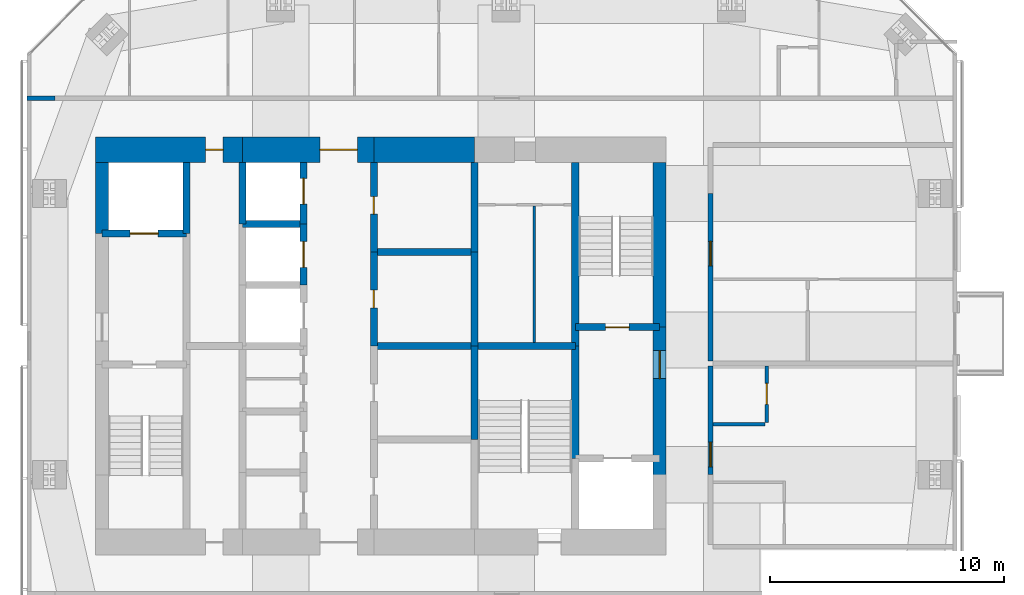
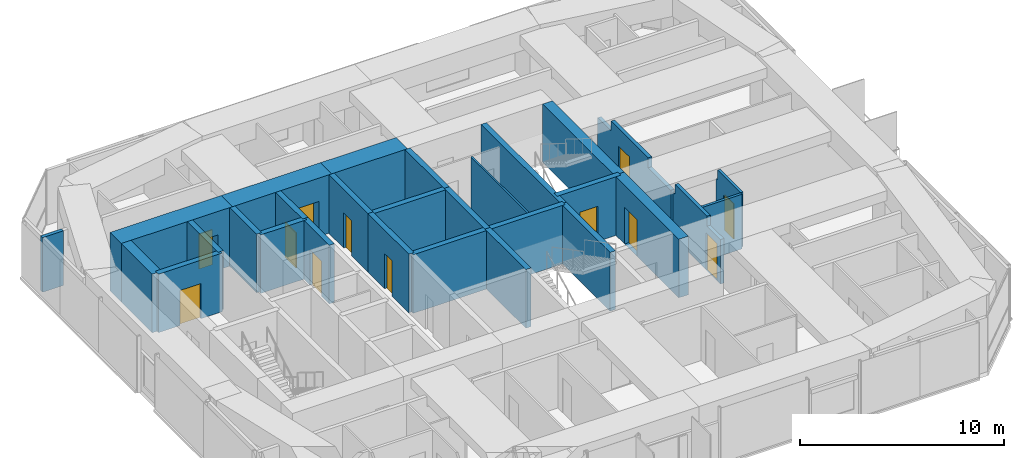
# One storey, part 15 of 18: 29 walls, 12 doors, 12 openings.
"""IFC4 building model written with IfcOpenShell, lengths in metres."""

from ifc_helpers import new_model, si_unit, direction, frame, frame_2d, origin, place, context, subcontext, project, spatial, polyline, rectangle, outline, extrude, material, layer, layer_set, constituent, constituent_set, type_object, element, fill, save


model = new_model("IFC4")

# Units and contexts
model_context = context("Model", 3, precision=1e-05, world=origin(), true_north=direction((0.0, 1.0)))
body_context = subcontext(model_context, "Body", "Model", "MODEL_VIEW")
ifc_project = project(units=[si_unit("LENGTHUNIT", "METRE"), si_unit("AREAUNIT", "SQUARE_METRE"), si_unit("VOLUMEUNIT", "CUBIC_METRE"), si_unit("PLANEANGLEUNIT", "RADIAN"), si_unit("MASSUNIT", "GRAM", prefix="KILO")], contexts=[model_context])

# Site, building, storey
site_placement = place(None, origin())
site = spatial("IfcSite", under=ifc_project, at=site_placement, CompositionType="ELEMENT")
building_placement = place(site_placement, origin())
building = spatial("IfcBuilding", under=site, at=building_placement, Name="Jalousie Tower", CompositionType="ELEMENT")
storey_placement = place(building_placement, frame((0.0, 0.0, 249.449951171875)))
storey = spatial("IfcBuildingStorey", under=building, at=storey_placement, Name="L68", CompositionType="ELEMENT", Elevation=249.449951171875)

# Wall, opening, door
ifc_material_1 = material(Name="Concrete block ASTM C90", Category="concrete")
ifc_constituent_1 = constituent(ifc_material_1, Name="Body")
ifc_material_2 = material(Name="Render")
ifc_constituent_2 = constituent(ifc_material_2, Name="Finish")
ifc_constituent_set_1 = constituent_set(constituents=[ifc_constituent_1, ifc_constituent_2])
wall_type_1 = type_object("IfcWallType", Name="BATHROOM WALL 150", PredefinedType="PLUMBINGWALL", material=ifc_constituent_set_1)
wall_1_placement = place(storey_placement, frame((48.375, 15.22509765625, 0.0), z_axis=(0.0, 0.0, 1.0), x_axis=(0.0, 1.0, 0.0)))
wall_1 = element("IfcWall", 1, at=wall_1_placement, inside=storey, type_object=wall_type_1, Name="Bathroom Wall 150 L68", PredefinedType="PLUMBINGWALL", context=body_context, shape_type="SweptSolid", body=[
    extrude(outline(polyline([(0.0, 0.0), (2.4248046875, 0.0), (2.425048828125, 3.260009765625), (2.425048828125, 2.66015625), (2.239990234375, 2.66015625), (2.239990234375, 3.260009765625), (0.0, 3.260009765625), (0.0, 0.0)])), frame((0.0, 0.074951171875, 0.0), z_axis=(0.0, -1.0, 0.0), x_axis=(1.0, 0.0, 0.0)), (0.0, 0.0, 1.0), 0.14990234375),
])
opening_1_placement = place(wall_1_placement, frame((0.77490234375, 0.0, 0.0)))
opening_1 = element("IfcOpeningElement", 2, at=opening_1_placement, cuts=wall_1, Name="Opening D3", PredefinedType="OPENING", context=body_context, shape_type="SweptSolid", body=[
    extrude(rectangle(XDim=0.89990234375, YDim=2.10009765625, at=frame_2d((0.449951171875, 1.050048828125))), frame((0.0, 0.0849609375, 0.0), z_axis=(0.0, -1.0, 0.0), x_axis=(1.0, 0.0, 0.0)), (0.0, 0.0, 1.0), 0.169921875),
])
ifc_material_3 = material(Name="Timber door", Category="wood")
door_type_1 = type_object("IfcDoorType", Name="BATHROOM DOOR 900", OperationType="SINGLE_SWING_LEFT", PredefinedType="DOOR", material=ifc_material_3)
door_1_placement = place(opening_1_placement, origin())
door_1 = element("IfcDoor", 3, at=door_1_placement, inside=storey, type_object=door_type_1, Name="Apartment 6803 bathroom door", OperationType="SINGLE_SWING_RIGHT", OverallHeight=2.10009765625, OverallWidth=0.89990234375, PredefinedType="DOOR", context=body_context, shape_type="SweptSolid", body=[
    extrude(rectangle(XDim=0.89990234375, YDim=2.10009765625, at=frame_2d((0.449951171875, 1.050048828125))), frame((0.0, 0.02490234375, 0.0), z_axis=(0.0, -1.0, 0.0), x_axis=(1.0, 0.0, 0.0)), (0.0, 0.0, 1.0), 0.050048828125),
])
fill(opening_1, door_1)

# Walls
wall_2_placement = place(storey_placement, frame((48.300048828125, 15.14990234375, 0.0), z_axis=(0.0, 0.0, 1.0), x_axis=(-1.0, 0.0, 0.0)))
element("IfcWall", 4, at=wall_2_placement, inside=storey, type_object=wall_type_1, Name="Bathroom Wall 150 L68", PredefinedType="PLUMBINGWALL", context=body_context, shape_type="SweptSolid", body=[
    extrude(rectangle(XDim=2.22509765625, YDim=0.14990234375, at=frame_2d((1.112548828125, 0.0))), origin(), (0.0, 0.0, 1.0), 3.260009765625),
])
ifc_material_4 = material(Name="Concrete f'c 120 MPa", Category="concrete")
ifc_layer_1 = layer(ifc_material_4, 1.10009765625)
ifc_layer_set_1 = layer_set([ifc_layer_1], Name="Concrete f'c 120 MPa")
wall_type_2 = type_object("IfcWallType", Name="CORE WALL 1100", PredefinedType="SHEAR", material=ifc_layer_set_1)
wall_3_placement = place(storey_placement, frame((35.89990234375, 26.875, 0.0), z_axis=(0.0, 0.0, 1.0), x_axis=(-1.0, 0.0, 0.0)))
element("IfcWall", 5, at=wall_3_placement, inside=storey, type_object=wall_type_2, Name="Core wall NB L68", PredefinedType="SHEAR", context=body_context, shape_type="SweptSolid", body=[
    extrude(rectangle(XDim=4.2998046875, YDim=1.10009765625, at=frame_2d((2.14990234375, 0.0))), origin(), (0.0, 0.0, 1.0), 3.5),
])

# Wall, opening, door
wall_4_placement = place(storey_placement, frame((31.60009765625, 26.875, 0.0), z_axis=(0.0, 0.0, 1.0), x_axis=(-1.0, 0.0, 0.0)))
wall_4 = element("IfcWall", 6, at=wall_4_placement, inside=storey, type_object=wall_type_2, Name="Core wall NC L68", PredefinedType="SHEAR", context=body_context, shape_type="SweptSolid", body=[
    extrude(rectangle(XDim=5.60009765625, YDim=1.10009765625, at=frame_2d((2.800048828125, 0.0))), origin(), (0.0, 0.0, 1.0), 3.5),
])
opening_2_placement = place(wall_4_placement, frame((0.699951171875, 0.0, 0.0)))
opening_2 = element("IfcOpeningElement", 7, at=opening_2_placement, cuts=wall_4, Name="Opening D15", PredefinedType="OPENING", context=body_context, shape_type="SweptSolid", body=[
    extrude(rectangle(XDim=1.60009765625, YDim=2.10009765625, at=frame_2d((0.800048828125, 1.050048828125))), frame((0.0, 0.56005859375, 0.0), z_axis=(0.0, -1.0, 0.0), x_axis=(1.0, 0.0, 0.0)), (0.0, 0.0, 1.0), 1.1201171875),
])
ifc_material_5 = material(Name="Steel fire door", Category="steel")
door_type_2 = type_object("IfcDoorType", Name="LIFT LOBBY DOOR 1600", OperationType="DOUBLE_DOOR_SINGLE_SWING", PredefinedType="DOOR", material=ifc_material_5)
door_2_placement = place(opening_2_placement, origin())
door_2 = element("IfcDoor", 8, at=door_2_placement, inside=storey, type_object=door_type_2, Name="Lift lobby north door", OperationType="DOUBLE_DOOR_SINGLE_SWING", OverallHeight=2.10009765625, OverallWidth=1.60009765625, PredefinedType="DOOR", context=body_context, shape_type="SweptSolid", body=[
    extrude(rectangle(XDim=1.60009765625, YDim=2.10009765625, at=frame_2d((0.800048828125, 1.050048828125))), frame((0.0, 0.02490234375, 0.0), z_axis=(0.0, -1.0, 0.0), x_axis=(1.0, 0.0, 0.0)), (0.0, 0.0, 1.0), 0.050048828125),
])
fill(opening_2, door_2)

wall_5_placement = place(storey_placement, frame((26.0, 26.875, 0.0), z_axis=(0.0, 0.0, 1.0), x_axis=(-1.0, 0.0, 0.0)))
wall_5 = element("IfcWall", 9, at=wall_5_placement, inside=storey, type_object=wall_type_2, Name="Core wall ND L68", PredefinedType="SHEAR", context=body_context, shape_type="SweptSolid", body=[
    extrude(rectangle(XDim=6.27490234375, YDim=1.10009765625, at=frame_2d((3.137451171875, 0.0))), origin(), (0.0, 0.0, 1.0), 3.5),
])
opening_3_placement = place(wall_5_placement, frame((0.824951171875, 0.0, 0.0)))
opening_3 = element("IfcOpeningElement", 10, at=opening_3_placement, cuts=wall_5, Name="Opening D16", PredefinedType="OPENING", context=body_context, shape_type="SweptSolid", body=[
    extrude(rectangle(XDim=0.75, YDim=2.10009765625, at=frame_2d((0.375, 1.050048828125))), frame((0.0, 0.56005859375, 0.0), z_axis=(0.0, -1.0, 0.0), x_axis=(1.0, 0.0, 0.0)), (0.0, 0.0, 1.0), 1.1201171875),
])
ifc_material_6 = material(Name="Steel fire door", Category="steel")
door_type_3 = type_object("IfcDoorType", Name="RISER DOOR 750", OperationType="SINGLE_SWING_LEFT", PredefinedType="DOOR", material=ifc_material_6)
door_3_placement = place(opening_3_placement, origin())
door_3 = element("IfcDoor", 11, at=door_3_placement, inside=storey, type_object=door_type_3, Name="North riser door", OperationType="SINGLE_SWING_RIGHT", OverallHeight=2.10009765625, OverallWidth=0.75, PredefinedType="DOOR", context=body_context, shape_type="SweptSolid", body=[
    extrude(rectangle(XDim=0.75, YDim=2.10009765625, at=frame_2d((0.375, 1.050048828125))), frame((0.0, 0.02490234375, 0.0), z_axis=(0.0, -1.0, 0.0), x_axis=(1.0, 0.0, 0.0)), (0.0, 0.0, 1.0), 0.050048828125),
])
fill(opening_3, door_3)

# Walls
ifc_material_7 = material(Name="Concrete f'c 120 MPa", Category="concrete")
ifc_layer_2 = layer(ifc_material_7, 0.300048828125)
ifc_layer_set_2 = layer_set([ifc_layer_2], Name="Concrete f'c 120 MPa")
wall_type_3 = type_object("IfcWallType", Name="CORE WALL 300", PredefinedType="SHEAR", material=ifc_layer_set_2)
wall_6_placement = place(storey_placement, frame((23.60009765625, 23.300048828125, 0.0), z_axis=(0.0, 0.0, 1.0), x_axis=(0.0, 1.0, 0.0)))
element("IfcWall", 12, at=wall_6_placement, inside=storey, type_object=wall_type_3, Name="Core wall X23.6C L68", PredefinedType="SHEAR", context=body_context, shape_type="SweptSolid", body=[
    extrude(rectangle(XDim=3.02490234375, YDim=0.300048828125, at=frame_2d((1.512451171875, 0.0))), origin(), (0.0, 0.0, 1.0), 3.5),
])
wall_7_placement = place(storey_placement, frame((26.0, 23.699951171875, 0.0), z_axis=(0.0, 0.0, 1.0), x_axis=(0.0, 1.0, 0.0)))
element("IfcWall", 13, at=wall_7_placement, inside=storey, type_object=wall_type_3, Name="Core wall X26F L68", PredefinedType="SHEAR", context=body_context, shape_type="SweptSolid", body=[
    extrude(rectangle(XDim=2.625, YDim=0.300048828125, at=frame_2d((1.3125, 0.0))), origin(), (0.0, 0.0, 1.0), 3.5),
])

# Wall, opening, door
wall_8_placement = place(storey_placement, frame((28.60009765625, 21.10009765625, 0.0), z_axis=(0.0, 0.0, 1.0), x_axis=(0.0, 1.0, 0.0)))
wall_8 = element("IfcWall", 14, at=wall_8_placement, inside=storey, type_object=wall_type_3, Name="Core wall X28.6E L68", PredefinedType="SHEAR", context=body_context, shape_type="SweptSolid", body=[
    extrude(rectangle(XDim=2.599853515625, YDim=0.300048828125, at=frame_2d((1.2998046875, 0.0))), origin(), (0.0, 0.0, 1.0), 3.5),
])
opening_4_placement = place(wall_8_placement, frame((0.75, 0.0, 0.0)))
opening_4 = element("IfcOpeningElement", 15, at=opening_4_placement, cuts=wall_8, Name="Opening LD1", PredefinedType="OPENING", context=body_context, shape_type="SweptSolid", body=[
    extrude(rectangle(XDim=1.10009765625, YDim=2.10009765625, at=frame_2d((0.550048828125, 1.050048828125))), frame((0.0, 0.159912109375, 0.0), z_axis=(0.0, -1.0, 0.0), x_axis=(1.0, 0.0, 0.0)), (0.0, 0.0, 1.0), 0.320068359375),
])
ifc_material_8 = material(Name="Steel lift landing door", Category="steel")
door_type_4 = type_object("IfcDoorType", Name="LIFT LANDING DOOR 1100", OperationType="SLIDING_TO_LEFT", PredefinedType="DOOR", material=ifc_material_8)
door_4_placement = place(opening_4_placement, origin())
door_4 = element("IfcDoor", 16, at=door_4_placement, inside=storey, type_object=door_type_4, Name="Lift P5 landing door", OperationType="SLIDING_TO_LEFT", OverallHeight=2.10009765625, OverallWidth=1.10009765625, PredefinedType="DOOR", context=body_context, shape_type="SweptSolid", body=[
    extrude(rectangle(XDim=1.10009765625, YDim=2.10009765625, at=frame_2d((0.550048828125, 1.050048828125))), frame((0.0, 0.02490234375, 0.0), z_axis=(0.0, -1.0, 0.0), x_axis=(1.0, 0.0, 0.0)), (0.0, 0.0, 1.0), 0.050048828125),
])
fill(opening_4, door_4)

wall_9_placement = place(storey_placement, frame((28.60009765625, 23.699951171875, 0.0), z_axis=(0.0, 0.0, 1.0), x_axis=(0.0, 1.0, 0.0)))
wall_9 = element("IfcWall", 17, at=wall_9_placement, inside=storey, type_object=wall_type_3, Name="Core wall X28.6F L68", PredefinedType="SHEAR", context=body_context, shape_type="SweptSolid", body=[
    extrude(rectangle(XDim=2.625, YDim=0.300048828125, at=frame_2d((1.3125, 0.0))), origin(), (0.0, 0.0, 1.0), 3.5),
])
opening_5_placement = place(wall_9_placement, frame((0.85009765625, 0.0, 0.0)))
opening_5 = element("IfcOpeningElement", 18, at=opening_5_placement, cuts=wall_9, Name="Opening LD1", PredefinedType="OPENING", context=body_context, shape_type="SweptSolid", body=[
    extrude(rectangle(XDim=1.10009765625, YDim=2.10009765625, at=frame_2d((0.550048828125, 1.050048828125))), frame((0.0, 0.159912109375, 0.0), z_axis=(0.0, -1.0, 0.0), x_axis=(1.0, 0.0, 0.0)), (0.0, 0.0, 1.0), 0.320068359375),
])
door_5_placement = place(opening_5_placement, origin())
door_5 = element("IfcDoor", 19, at=door_5_placement, inside=storey, type_object=door_type_4, Name="Lift P6 landing door", OperationType="SLIDING_TO_LEFT", OverallHeight=2.10009765625, OverallWidth=1.10009765625, PredefinedType="DOOR", context=body_context, shape_type="SweptSolid", body=[
    extrude(rectangle(XDim=1.10009765625, YDim=2.10009765625, at=frame_2d((0.550048828125, 1.050048828125))), frame((0.0, 0.02490234375, 0.0), z_axis=(0.0, -1.0, 0.0), x_axis=(1.0, 0.0, 0.0)), (0.0, 0.0, 1.0), 0.050048828125),
])
fill(opening_5, door_5)

wall_10_placement = place(storey_placement, frame((31.60009765625, 18.5, 0.0), z_axis=(0.0, 0.0, 1.0), x_axis=(0.0, 1.0, 0.0)))
wall_10 = element("IfcWall", 20, at=wall_10_placement, inside=storey, type_object=wall_type_3, Name="Core wall X31.6C L68", PredefinedType="SHEAR", context=body_context, shape_type="SweptSolid", body=[
    extrude(rectangle(XDim=4.0, YDim=0.300048828125, at=frame_2d((2.0, 0.0))), origin(), (0.0, 0.0, 1.0), 3.5),
])
opening_6_placement = place(wall_10_placement, frame((1.625, 0.0, 0.0)))
opening_6 = element("IfcOpeningElement", 21, at=opening_6_placement, cuts=wall_10, Name="Opening D16", PredefinedType="OPENING", context=body_context, shape_type="SweptSolid", body=[
    extrude(rectangle(XDim=0.75, YDim=2.10009765625, at=frame_2d((0.375, 1.050048828125))), frame((0.0, 0.159912109375, 0.0), z_axis=(0.0, -1.0, 0.0), x_axis=(1.0, 0.0, 0.0)), (0.0, 0.0, 1.0), 0.320068359375),
])
door_6_placement = place(opening_6_placement, frame((0.75, 0.0, 0.0), z_axis=(0.0, 0.0, 1.0), x_axis=(-1.0, 0.0, 0.0)))
door_6 = element("IfcDoor", 22, at=door_6_placement, inside=storey, type_object=door_type_3, Name="Telecom Room door", OperationType="SINGLE_SWING_RIGHT", OverallHeight=2.10009765625, OverallWidth=0.75, PredefinedType="DOOR", context=body_context, shape_type="SweptSolid", body=[
    extrude(rectangle(XDim=0.75, YDim=2.10009765625, at=frame_2d((0.375, 1.050048828125))), frame((0.0, 0.02490234375, 0.0), z_axis=(0.0, -1.0, 0.0), x_axis=(1.0, 0.0, 0.0)), (0.0, 0.0, 1.0), 0.050048828125),
])
fill(opening_6, door_6)

wall_11_placement = place(storey_placement, frame((31.60009765625, 22.5, 0.0), z_axis=(0.0, 0.0, 1.0), x_axis=(0.0, 1.0, 0.0)))
wall_11 = element("IfcWall", 23, at=wall_11_placement, inside=storey, type_object=wall_type_3, Name="Core wall X31.6D L68", PredefinedType="SHEAR", context=body_context, shape_type="SweptSolid", body=[
    extrude(rectangle(XDim=3.824951171875, YDim=0.300048828125, at=frame_2d((1.91259765625, 0.0))), origin(), (0.0, 0.0, 1.0), 3.5),
])
opening_7_placement = place(wall_11_placement, frame((1.625, 0.0, 0.0)))
opening_7 = element("IfcOpeningElement", 24, at=opening_7_placement, cuts=wall_11, Name="Opening D16", PredefinedType="OPENING", context=body_context, shape_type="SweptSolid", body=[
    extrude(rectangle(XDim=0.75, YDim=2.10009765625, at=frame_2d((0.375, 1.050048828125))), frame((0.0, 0.159912109375, 0.0), z_axis=(0.0, -1.0, 0.0), x_axis=(1.0, 0.0, 0.0)), (0.0, 0.0, 1.0), 0.320068359375),
])
door_7_placement = place(opening_7_placement, frame((0.75, 0.0, 0.0), z_axis=(0.0, 0.0, 1.0), x_axis=(-1.0, 0.0, 0.0)))
door_7 = element("IfcDoor", 25, at=door_7_placement, inside=storey, type_object=door_type_3, Name="Water Services Room door", OperationType="SINGLE_SWING_LEFT", OverallHeight=2.10009765625, OverallWidth=0.75, PredefinedType="DOOR", context=body_context, shape_type="SweptSolid", body=[
    extrude(rectangle(XDim=0.75, YDim=2.10009765625, at=frame_2d((0.375, 1.050048828125))), frame((0.0, 0.02490234375, 0.0), z_axis=(0.0, -1.0, 0.0), x_axis=(1.0, 0.0, 0.0)), (0.0, 0.0, 1.0), 0.050048828125),
])
fill(opening_7, door_7)

# Walls
for number, where, z_axis, x_axis, name in (
    (26, (35.89990234375, 14.5, 0.0), (0.0, 0.0, 1.0), (0.0, 1.0, 0.0), "Core wall X35.9B L68"),
    (27, (35.89990234375, 18.5, 0.0), (0.0, 0.0, 1.0), (0.0, 1.0, 0.0), "Core wall X35.9C L68"),
):
    element("IfcWall", number, at=place(storey_placement, frame(where, z_axis=z_axis, x_axis=x_axis)), inside=storey, type_object=wall_type_3, Name=name, PredefinedType="SHEAR", context=body_context, shape_type="SweptSolid", body=[
        extrude(rectangle(XDim=4.0, YDim=0.300048828125, at=frame_2d((2.0, 0.0))), origin(), (0.0, 0.0, 1.0), 3.5),
    ])
wall_12_placement = place(storey_placement, frame((35.89990234375, 22.5, 0.0), z_axis=(0.0, 0.0, 1.0), x_axis=(0.0, 1.0, 0.0)))
element("IfcWall", 28, at=wall_12_placement, inside=storey, type_object=wall_type_3, Name="Core wall X35.9D L68", PredefinedType="SHEAR", context=body_context, shape_type="SweptSolid", body=[
    extrude(rectangle(XDim=3.824951171875, YDim=0.300048828125, at=frame_2d((1.91259765625, 0.0))), origin(), (0.0, 0.0, 1.0), 3.5),
])
wall_13_placement = place(storey_placement, frame((40.199951171875, 13.699951171875, 0.0), z_axis=(0.0, 0.0, 1.0), x_axis=(0.0, 1.0, 0.0)))
element("IfcWall", 29, at=wall_13_placement, inside=storey, type_object=wall_type_3, Name="Core wall X40.2B L68", PredefinedType="SHEAR", context=body_context, shape_type="SweptSolid", body=[
    extrude(rectangle(XDim=4.800048828125, YDim=0.300048828125, at=frame_2d((2.39990234375, 0.0))), origin(), (0.0, 0.0, 1.0), 3.5),
])
wall_14_placement = place(storey_placement, frame((40.199951171875, 18.5, 0.0), z_axis=(0.0, 0.0, 1.0), x_axis=(0.0, 1.0, 0.0)))
element("IfcWall", 30, at=wall_14_placement, inside=storey, type_object=wall_type_3, Name="Core wall X40.2C L68", PredefinedType="SHEAR", context=body_context, shape_type="SweptSolid", body=[
    extrude(rectangle(XDim=7.824951171875, YDim=0.300048828125, at=frame_2d((3.91259765625, 0.0))), origin(), (0.0, 0.0, 1.0), 3.5),
])

# Wall, opening, door
wall_15_placement = place(storey_placement, frame((20.0, 23.300048828125, 0.0), z_axis=(0.0, 0.0, 1.0), x_axis=(1.0, 0.0, 0.0)))
wall_15 = element("IfcWall", 31, at=wall_15_placement, inside=storey, type_object=wall_type_3, Name="Core wall Y20-23.3 L68", PredefinedType="SHEAR", context=body_context, shape_type="SweptSolid", body=[
    extrude(rectangle(XDim=3.60009765625, YDim=0.300048828125, at=frame_2d((1.800048828125, 0.0))), origin(), (0.0, 0.0, 1.0), 3.5),
])
opening_8_placement = place(wall_15_placement, frame((1.199951171875, 0.0, 0.0)))
opening_8 = element("IfcOpeningElement", 32, at=opening_8_placement, cuts=wall_15, Name="Opening LD2", PredefinedType="OPENING", context=body_context, shape_type="SweptSolid", body=[
    extrude(rectangle(XDim=1.199951171875, YDim=2.10009765625, at=frame_2d((0.60009765625, 1.050048828125))), frame((0.0, 0.159912109375, 0.0), z_axis=(0.0, -1.0, 0.0), x_axis=(1.0, 0.0, 0.0)), (0.0, 0.0, 1.0), 0.320068359375),
])
ifc_material_9 = material(Name="Steel lift landing door", Category="steel")
door_type_5 = type_object("IfcDoorType", Name="LIFT LANDING DOOR 1200", OperationType="SLIDING_TO_LEFT", PredefinedType="DOOR", material=ifc_material_9)
door_8_placement = place(opening_8_placement, origin())
door_8 = element("IfcDoor", 33, at=door_8_placement, inside=storey, type_object=door_type_5, Name="Lift F1 landing door", OperationType="SLIDING_TO_LEFT", OverallHeight=2.10009765625, OverallWidth=1.199951171875, PredefinedType="DOOR", context=body_context, shape_type="SweptSolid", body=[
    extrude(rectangle(XDim=1.199951171875, YDim=2.10009765625, at=frame_2d((0.60009765625, 1.050048828125))), frame((0.0, 0.02490234375, 0.0), z_axis=(0.0, -1.0, 0.0), x_axis=(1.0, 0.0, 0.0)), (0.0, 0.0, 1.0), 0.050048828125),
])
fill(opening_8, door_8)

# Walls
wall_16_placement = place(storey_placement, frame((26.0, 23.699951171875, 0.0), z_axis=(0.0, 0.0, 1.0), x_axis=(1.0, 0.0, 0.0)))
element("IfcWall", 34, at=wall_16_placement, inside=storey, type_object=wall_type_3, Name="Core wall Y26-23.7 L68", PredefinedType="SHEAR", context=body_context, shape_type="SweptSolid", body=[
    extrude(rectangle(XDim=2.60009765625, YDim=0.300048828125, at=frame_2d((1.300048828125, 0.0))), origin(), (0.0, 0.0, 1.0), 3.5),
])
for number, where, z_axis, x_axis, name in (
    (35, (31.60009765625, 18.5, 0.0), (0.0, 0.0, 1.0), (1.0, 0.0, 0.0), "Core wall Y31.6-18.5 L68"),
    (36, (31.60009765625, 22.5, 0.0), (0.0, 0.0, 1.0), (1.0, 0.0, 0.0), "Core wall Y31.6-22.5 L68"),
):
    element("IfcWall", number, at=place(storey_placement, frame(where, z_axis=z_axis, x_axis=x_axis)), inside=storey, type_object=wall_type_3, Name=name, PredefinedType="SHEAR", context=body_context, shape_type="SweptSolid", body=[
        extrude(rectangle(XDim=4.2998046875, YDim=0.300048828125, at=frame_2d((2.14990234375, 0.0))), origin(), (0.0, 0.0, 1.0), 3.5),
    ])
wall_17_placement = place(storey_placement, frame((35.89990234375, 18.5, 0.0), z_axis=(0.0, 0.0, 1.0), x_axis=(1.0, 0.0, 0.0)))
element("IfcWall", 37, at=wall_17_placement, inside=storey, type_object=wall_type_3, Name="Core wall Y35.9-18.5 L68", PredefinedType="SHEAR", context=body_context, shape_type="SweptSolid", body=[
    extrude(rectangle(XDim=4.300048828125, YDim=0.300048828125, at=frame_2d((2.14990234375, 0.0))), origin(), (0.0, 0.0, 1.0), 3.5),
])

# Wall, opening, door
wall_18_placement = place(storey_placement, frame((40.199951171875, 19.300048828125, 0.0), z_axis=(0.0, 0.0, 1.0), x_axis=(1.0, 0.0, 0.0)))
wall_18 = element("IfcWall", 38, at=wall_18_placement, inside=storey, type_object=wall_type_3, Name="Core wall Y40.2-19.3 L68", PredefinedType="SHEAR", context=body_context, shape_type="SweptSolid", body=[
    extrude(rectangle(XDim=3.60009765625, YDim=0.300048828125, at=frame_2d((1.800048828125, 0.0))), origin(), (0.0, 0.0, 1.0), 3.5),
])
opening_9_placement = place(wall_18_placement, frame((1.300048828125, 0.0, 0.0)))
opening_9 = element("IfcOpeningElement", 39, at=opening_9_placement, cuts=wall_18, Name="Opening D10", PredefinedType="OPENING", context=body_context, shape_type="SweptSolid", body=[
    extrude(rectangle(XDim=1.0, YDim=2.10009765625, at=frame_2d((0.5, 1.050048828125))), frame((0.0, 0.159912109375, 0.0), z_axis=(0.0, -1.0, 0.0), x_axis=(1.0, 0.0, 0.0)), (0.0, 0.0, 1.0), 0.320068359375),
])
ifc_material_10 = material(Name="Steel fire door", Category="steel")
door_type_6 = type_object("IfcDoorType", Name="STAIR DOOR 1000", OperationType="SINGLE_SWING_LEFT", PredefinedType="DOOR", material=ifc_material_10)
door_9_placement = place(opening_9_placement, origin())
door_9 = element("IfcDoor", 40, at=door_9_placement, inside=storey, type_object=door_type_6, Name="Exit stair B door", OperationType="SINGLE_SWING_RIGHT", OverallHeight=2.10009765625, OverallWidth=1.0, PredefinedType="DOOR", context=body_context, shape_type="SweptSolid", body=[
    extrude(rectangle(XDim=1.0, YDim=2.10009765625, at=frame_2d((0.5, 1.050048828125))), frame((0.0, 0.02490234375, 0.0), z_axis=(0.0, -1.0, 0.0), x_axis=(1.0, 0.0, 0.0)), (0.0, 0.0, 1.0), 0.050048828125),
])
fill(opening_9, door_9)

# Wall
ifc_material_11 = material(Name="Concrete f'c 120 MPa", Category="concrete")
ifc_layer_3 = layer(ifc_material_11, 0.550048828125)
ifc_layer_set_3 = layer_set([ifc_layer_3], Name="Concrete f'c 120 MPa")
wall_type_4 = type_object("IfcWallType", Name="CORE WALL 550", PredefinedType="SHEAR", material=ifc_layer_set_3)
wall_19_placement = place(storey_placement, frame((20.0, 26.324951171875, 0.0), z_axis=(0.0, 0.0, 1.0), x_axis=(0.0, -1.0, 0.0)))
element("IfcWall", 41, at=wall_19_placement, inside=storey, type_object=wall_type_4, Name="Core wall WA L68", PredefinedType="SHEAR", context=body_context, shape_type="SweptSolid", body=[
    extrude(rectangle(XDim=3.02490234375, YDim=0.550048828125, at=frame_2d((1.512451171875, 0.0))), origin(), (0.0, 0.0, 1.0), 3.5),
])

# Wall, opening, door
wall_20_placement = place(storey_placement, frame((43.800048828125, 13.0, 0.0), z_axis=(0.0, 0.0, 1.0), x_axis=(0.0, 1.0, 0.0)))
wall_20 = element("IfcWall", 42, at=wall_20_placement, inside=storey, type_object=wall_type_4, Name="Core wall EB L68", PredefinedType="SHEAR", context=body_context, shape_type="SweptSolid", body=[
    extrude(rectangle(XDim=6.300048828125, YDim=0.550048828125, at=frame_2d((3.14990234375, 0.0))), origin(), (0.0, 0.0, 1.0), 3.5),
])
opening_10_placement = place(wall_20_placement, frame((4.10009765625, 0.0, 0.0)))
opening_10 = element("IfcOpeningElement", 43, at=opening_10_placement, cuts=wall_20, Name="Opening D11", PredefinedType="OPENING", context=body_context, shape_type="SweptSolid", body=[
    extrude(rectangle(XDim=1.199951171875, YDim=2.199951171875, at=frame_2d((0.60009765625, 1.10009765625))), frame((0.0, 0.284912109375, 0.0), z_axis=(0.0, -1.0, 0.0), x_axis=(1.0, 0.0, 0.0)), (0.0, 0.0, 1.0), 0.570068359375),
])
ifc_material_12 = material(Name="Steel fire door", Category="steel")
door_type_7 = type_object("IfcDoorType", Name="FIRE DOOR 1200", OperationType="SINGLE_SWING_LEFT", PredefinedType="DOOR", material=ifc_material_12)
door_10_placement = place(opening_10_placement, origin())
door_10 = element("IfcDoor", 44, at=door_10_placement, inside=storey, type_object=door_type_7, Name="Fire-fighting lobby B door", OperationType="SINGLE_SWING_RIGHT", OverallHeight=2.199951171875, OverallWidth=1.199951171875, PredefinedType="DOOR", context=body_context, shape_type="SweptSolid", body=[
    extrude(rectangle(XDim=1.199951171875, YDim=2.199951171875, at=frame_2d((0.60009765625, 1.10009765625))), frame((0.0, 0.02490234375, 0.0), z_axis=(0.0, -1.0, 0.0), x_axis=(1.0, 0.0, 0.0)), (0.0, 0.0, 1.0), 0.050048828125),
])
fill(opening_10, door_10)

# Wall
wall_21_placement = place(storey_placement, frame((43.800048828125, 19.300048828125, 0.0), z_axis=(0.0, 0.0, 1.0), x_axis=(0.0, 1.0, 0.0)))
element("IfcWall", 45, at=wall_21_placement, inside=storey, type_object=wall_type_4, Name="Core wall EC L68", PredefinedType="SHEAR", context=body_context, shape_type="SweptSolid", body=[
    extrude(rectangle(XDim=7.02490234375, YDim=0.550048828125, at=frame_2d((3.512451171875, 0.0))), origin(), (0.0, 0.0, 1.0), 3.5),
])

# Wall, opening, door
ifc_material_13 = material(Name="Concrete block ASTM C90", Category="concrete")
ifc_constituent_3 = constituent(ifc_material_13, Name="Body")
ifc_material_14 = material(Name="Render")
ifc_constituent_4 = constituent(ifc_material_14, Name="Finish")
ifc_constituent_set_2 = constituent_set(constituents=[ifc_constituent_3, ifc_constituent_4])
wall_type_5 = type_object("IfcWallType", Name="CORRIDOR WALL 200", PredefinedType="PARTITIONING", material=ifc_constituent_set_2)
wall_22_placement = place(storey_placement, frame((45.97509765625, 13.0, 0.0), z_axis=(0.0, 0.0, 1.0), x_axis=(0.0, 1.0, 0.0)))
wall_22 = element("IfcWall", 46, at=wall_22_placement, inside=storey, type_object=wall_type_5, Name="Corridor Wall 200 L68-B", PredefinedType="PARTITIONING", context=body_context, shape_type="SweptSolid", body=[
    extrude(outline(polyline([(0.0, 0.0), (4.64990234375, 0.0), (4.64990234375, 2.66015625), (4.43994140625, 2.66015625), (4.43994140625, 3.260009765625), (1.31005859375, 3.260009765625), (1.31005859375, 2.66015625), (0.0, 2.66015625), (0.0, 0.0)])), frame((0.0, 0.10009765625, 0.0), z_axis=(0.0, -1.0, 0.0), x_axis=(1.0, 0.0, 0.0)), (0.0, 0.0, 1.0), 0.199951171875),
])
opening_11_placement = place(wall_22_placement, frame((0.33740234375, 0.0, 0.0)))
opening_11 = element("IfcOpeningElement", 47, at=opening_11_placement, cuts=wall_22, Name="Opening D1", PredefinedType="OPENING", context=body_context, shape_type="SweptSolid", body=[
    extrude(rectangle(XDim=1.050048828125, YDim=2.199951171875, at=frame_2d((0.52490234375, 1.10009765625))), frame((0.0, 0.10986328125, 0.0), z_axis=(0.0, -1.0, 0.0), x_axis=(1.0, 0.0, 0.0)), (0.0, 0.0, 1.0), 0.219970703125),
])
ifc_material_15 = material(Name="Timber fire door", Category="wood")
door_type_8 = type_object("IfcDoorType", Name="APARTMENT ENTRANCE DOOR 1050", OperationType="SINGLE_SWING_LEFT", PredefinedType="DOOR", material=ifc_material_15)
door_11_placement = place(opening_11_placement, frame((1.050048828125, 0.0, 0.0), z_axis=(0.0, 0.0, 1.0), x_axis=(-1.0, 0.0, 0.0)))
door_11 = element("IfcDoor", 48, at=door_11_placement, inside=storey, type_object=door_type_8, Name="Apartment 6803 entrance", OperationType="SINGLE_SWING_RIGHT", OverallHeight=2.199951171875, OverallWidth=1.050048828125, PredefinedType="DOOR", context=body_context, shape_type="SweptSolid", body=[
    extrude(rectangle(XDim=1.050048828125, YDim=2.199951171875, at=frame_2d((0.52490234375, 1.10009765625))), frame((0.0, 0.02490234375, 0.0), z_axis=(0.0, -1.0, 0.0), x_axis=(1.0, 0.0, 0.0)), (0.0, 0.0, 1.0), 0.050048828125),
])
fill(opening_11, door_11)

wall_23_placement = place(storey_placement, frame((45.97509765625, 17.85009765625, 0.0), z_axis=(0.0, 0.0, 1.0), x_axis=(0.0, 1.0, 0.0)))
wall_23 = element("IfcWall", 49, at=wall_23_placement, inside=storey, type_object=wall_type_5, Name="Corridor Wall 200 L68-A", PredefinedType="PARTITIONING", context=body_context, shape_type="SweptSolid", body=[
    extrude(outline(polyline([(0.0, 0.0), (7.14990234375, 0.0), (7.14990234375, 2.66015625), (5.840087890625, 2.66015625), (5.840087890625, 3.260009765625), (2.2099609375, 3.260009765625), (2.2099609375, 2.66015625), (0.0, 2.66015625), (0.0, 0.0)])), frame((0.0, 0.10009765625, 0.0), z_axis=(0.0, -1.0, 0.0), x_axis=(1.0, 0.0, 0.0)), (0.0, 0.0, 1.0), 0.199951171875),
])
opening_12_placement = place(wall_23_placement, frame((4.0625, 0.0, 0.0)))
opening_12 = element("IfcOpeningElement", 50, at=opening_12_placement, cuts=wall_23, Name="Opening D1", PredefinedType="OPENING", context=body_context, shape_type="SweptSolid", body=[
    extrude(rectangle(XDim=1.050048828125, YDim=2.199951171875, at=frame_2d((0.52490234375, 1.10009765625))), frame((0.0, 0.10986328125, 0.0), z_axis=(0.0, -1.0, 0.0), x_axis=(1.0, 0.0, 0.0)), (0.0, 0.0, 1.0), 0.219970703125),
])
door_12_placement = place(opening_12_placement, frame((1.050048828125, 0.0, 0.0), z_axis=(0.0, 0.0, 1.0), x_axis=(-1.0, 0.0, 0.0)))
door_12 = element("IfcDoor", 51, at=door_12_placement, inside=storey, type_object=door_type_8, Name="Apartment 6804 entrance", OperationType="SINGLE_SWING_RIGHT", OverallHeight=2.199951171875, OverallWidth=1.050048828125, PredefinedType="DOOR", context=body_context, shape_type="SweptSolid", body=[
    extrude(rectangle(XDim=1.050048828125, YDim=2.199951171875, at=frame_2d((0.52490234375, 1.10009765625))), frame((0.0, 0.02490234375, 0.0), z_axis=(0.0, -1.0, 0.0), x_axis=(1.0, 0.0, 0.0)), (0.0, 0.0, 1.0), 0.050048828125),
])
fill(opening_12, door_12)

# Walls
ifc_material_16 = material(Name="Gypsum board", Category="gypsum")
ifc_constituent_5 = constituent(ifc_material_16, Name="Body")
ifc_material_17 = material(Name="Light-gauge steel studs ASTM A653 SS Grade 33", Category="steel")
ifc_constituent_6 = constituent(ifc_material_17, Name="Framing")
ifc_constituent_set_3 = constituent_set(constituents=[ifc_constituent_5, ifc_constituent_6])
wall_type_6 = type_object("IfcWallType", Name="PARTITION 100", PredefinedType="PARTITIONING", material=ifc_constituent_set_3)
wall_24_placement = place(storey_placement, frame((38.449951171875, 18.64990234375, 0.0), z_axis=(0.0, 0.0, 1.0), x_axis=(0.0, 1.0, 0.0)))
element("IfcWall", 52, at=wall_24_placement, inside=storey, type_object=wall_type_6, Name="Partition 100 L68", PredefinedType="PARTITIONING", context=body_context, shape_type="SweptSolid", body=[
    extrude(rectangle(XDim=5.8251953125, YDim=0.10009765625, at=frame_2d((2.91259765625, 0.0))), origin(), (0.0, 0.0, 1.0), 3.260009765625),
])
ifc_material_18 = material(Name="Concrete block ASTM C90", Category="concrete")
ifc_constituent_7 = constituent(ifc_material_18, Name="Body")
ifc_material_19 = material(Name="Render")
ifc_constituent_8 = constituent(ifc_material_19, Name="Finish")
ifc_constituent_set_4 = constituent_set(constituents=[ifc_constituent_7, ifc_constituent_8])
wall_type_7 = type_object("IfcWallType", Name="PARTY WALL 200", PredefinedType="PARTITIONING", material=ifc_constituent_set_4)
wall_25_placement = place(storey_placement, frame((16.800048828125, 29.074951171875, 0.0), z_axis=(0.0, 0.0, 1.0), x_axis=(1.0, 0.0, 0.0)))
element("IfcWall", 53, at=wall_25_placement, inside=storey, type_object=wall_type_7, Name="Party Wall 200 L68", PredefinedType="PARTITIONING", context=body_context, shape_type="SweptSolid", body=[
    extrude(rectangle(XDim=1.199951171875, YDim=0.199951171875, at=frame_2d((0.60009765625, 0.0))), origin(), (0.0, 0.0, 1.0), 3.260009765625),
])

save(model, "model.ifc")
